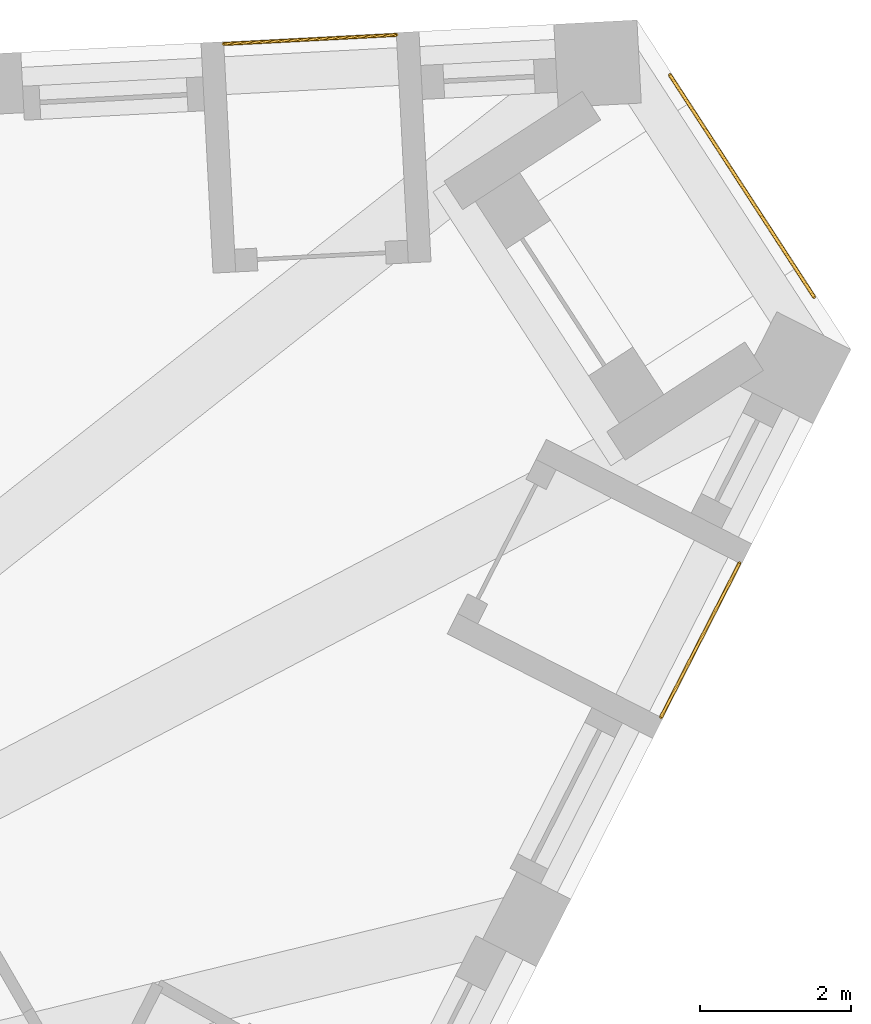
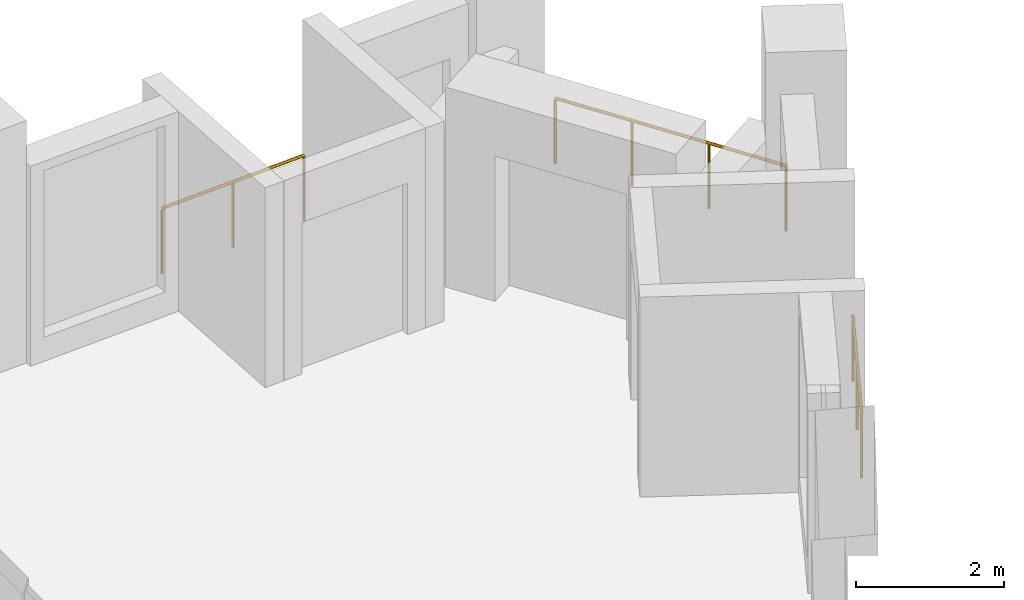
# One storey, part 12 of 12: 3 railings.
"""IFC4 building model written with IfcOpenShell, lengths in metres."""

from ifc_helpers import new_model, si_unit, direction, frame, origin, origin_2d, place, context, subcontext, project, spatial, circle, extrude, material, type_object, element, save


model = new_model("IFC4")

# Units and contexts
model_context = context("Model", 3, precision=1e-05, world=origin(), true_north=direction((0.0, 1.0)))
body_context = subcontext(model_context, "Body", "Model", "MODEL_VIEW")
ifc_project = project(units=[si_unit("LENGTHUNIT", "METRE"), si_unit("AREAUNIT", "SQUARE_METRE"), si_unit("VOLUMEUNIT", "CUBIC_METRE"), si_unit("PLANEANGLEUNIT", "RADIAN"), si_unit("MASSUNIT", "GRAM", prefix="KILO")], contexts=[model_context])

# Site, building, storey
site_placement = place(None, origin())
site = spatial("IfcSite", under=ifc_project, at=site_placement, CompositionType="ELEMENT")
building_placement = place(site_placement, origin())
building = spatial("IfcBuilding", under=site, at=building_placement, Name="Tramontana Tower", CompositionType="ELEMENT")
storey_placement = place(building_placement, frame((0.0, 0.0, 298.39990234375)))
storey = spatial("IfcBuildingStorey", under=building, at=storey_placement, Name="L70", CompositionType="ELEMENT", Elevation=298.39990234375)

# Railings
ifc_material = material(Name="Laminated glass balustrade", Category="glass")
railing_type = type_object("IfcRailingType", Name="GD1 Loggia glass balustrade 1100", PredefinedType="BALUSTRADE", material=ifc_material)
railing_1_placement = place(storey_placement, frame((21.128173828125, 7.390625, 0.0)))
element("IfcRailing", 1, at=railing_1_placement, inside=storey, type_object=railing_type, Name="Loggia balustrade L70 G7S1.13", PredefinedType="BALUSTRADE", context=body_context, shape_type="SweptSolid", body=[
    extrude(circle(Radius=0.02392578125, at=origin_2d()), frame((0.0, 0.0, 1.076171875), z_axis=(0.453948171533, 0.89102809022, 0.0), x_axis=(-0.89102809022, 0.453948171533, 0.0)), (0.0, 0.0, 1.0), 2.286865234375),
    extrude(circle(Radius=0.02099609375, at=origin_2d()), origin(), (0.0, 0.0, 1.0), 1.052001953125),
    extrude(circle(Radius=0.02099609375, at=origin_2d()), frame((0.51904296875, 1.018798828125, 0.0)), (0.0, 0.0, 1.0), 1.052001953125),
    extrude(circle(Radius=0.02099609375, at=origin_2d()), frame((1.0380859375, 2.03759765625, 0.0)), (0.0, 0.0, 1.0), 1.052001953125),
])
railing_2_placement = place(storey_placement, frame((17.62890625, 16.4150390625, 0.0)))
element("IfcRailing", 2, at=railing_2_placement, inside=storey, type_object=railing_type, Name="Loggia balustrade L70 G7S2.1", PredefinedType="BALUSTRADE", context=body_context, shape_type="SweptSolid", body=[
    extrude(circle(Radius=0.02392578125, at=origin_2d()), frame((0.0, 0.0, 1.076171875), z_axis=(-0.998630775221, -0.052312281362, 0.0), x_axis=(0.052312281362, -0.998630775221, 0.0)), (0.0, 0.0, 1.0), 2.286865234375),
    extrude(circle(Radius=0.02099609375, at=origin_2d()), origin(), (0.0, 0.0, 1.0), 1.052001953125),
    extrude(circle(Radius=0.02099609375, at=origin_2d()), frame((-1.141845703125, -0.059814453125, 0.0)), (0.0, 0.0, 1.0), 1.052001953125),
    extrude(circle(Radius=0.02099609375, at=origin_2d()), frame((-2.28369140625, -0.11962890625, 0.0)), (0.0, 0.0, 1.0), 1.052001953125),
])
railing_3_placement = place(storey_placement, frame((21.24658203125, 15.88427734375, 0.0)))
element("IfcRailing", 3, at=railing_3_placement, inside=storey, type_object=railing_type, Name="Corner loggia balustrade L70 K72", PredefinedType="BALUSTRADE", context=body_context, shape_type="SweptSolid", body=[
    extrude(circle(Radius=0.02392578125, at=origin_2d()), frame((0.0, 0.0, 1.076171875), z_axis=(0.544647498784, -0.838665071449, 0.0), x_axis=(0.838665071449, 0.544647498784, 0.0)), (0.0, 0.0, 1.0), 3.5),
    extrude(circle(Radius=0.02099609375, at=origin_2d()), origin(), (0.0, 0.0, 1.0), 1.052001953125),
    extrude(circle(Radius=0.02099609375, at=origin_2d()), frame((0.635498046875, -0.978515625, 0.0)), (0.0, 0.0, 1.0), 1.052001953125),
    extrude(circle(Radius=0.02099609375, at=origin_2d()), frame((1.270751953125, -1.956787109375, 0.0)), (0.0, 0.0, 1.0), 1.052001953125),
    extrude(circle(Radius=0.02099609375, at=origin_2d()), frame((1.90625, -2.935302734375, 0.0)), (0.0, 0.0, 1.0), 1.052001953125),
])

save(model, "model.ifc")
